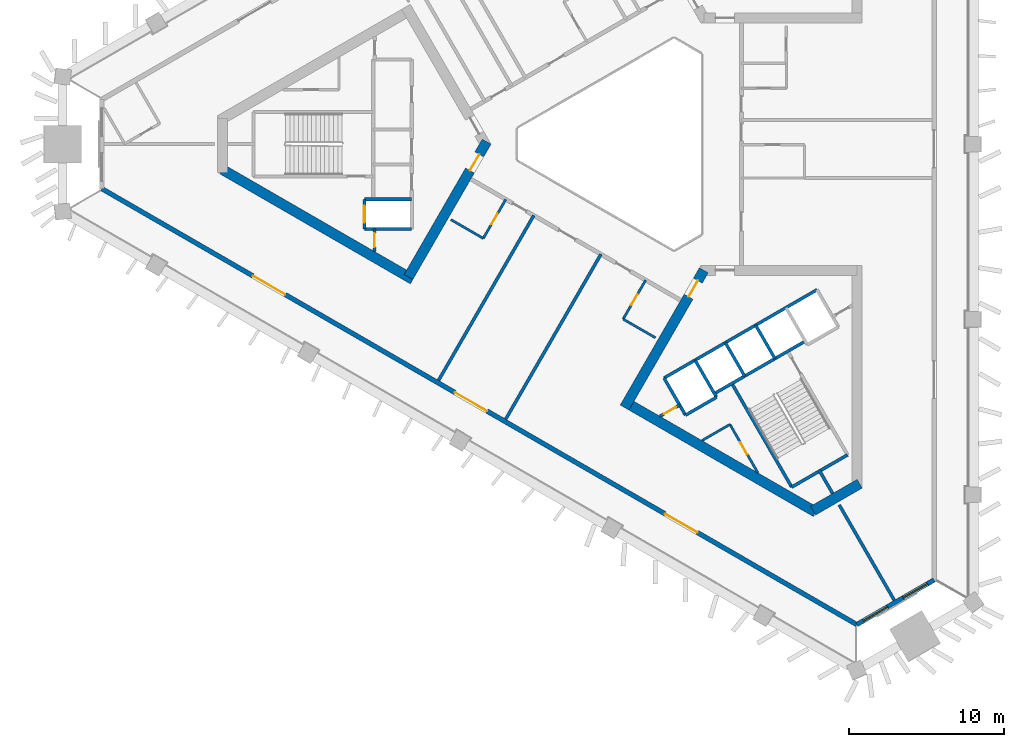
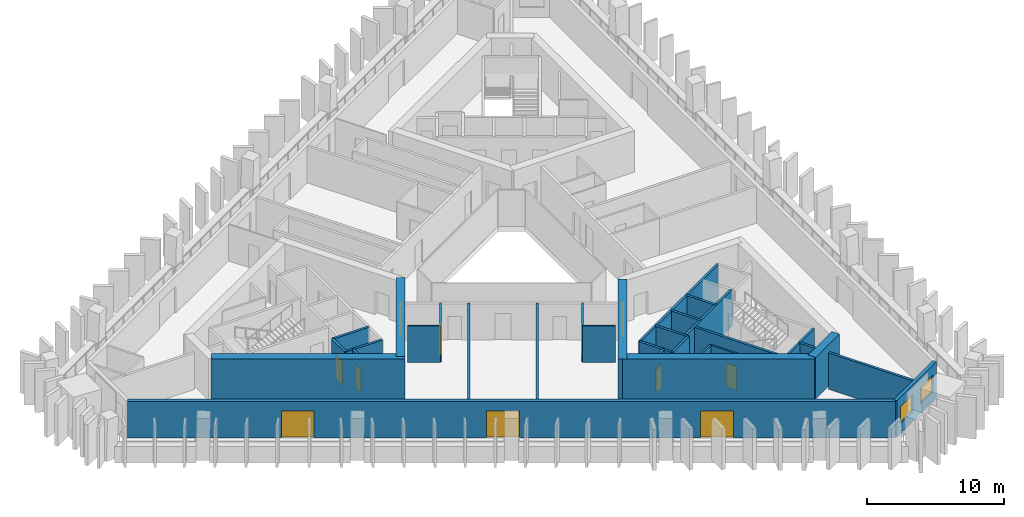
# One storey, part 2 of 9: 31 walls, 11 doors, 2 windows, 13 openings.
"""IFC4 building model written with IfcOpenShell, lengths in metres."""

from ifc_helpers import new_model, si_unit, direction, frame, frame_2d, origin, place, context, subcontext, project, spatial, rectangle, extrude, material, layer, layer_set, type_object, element, fill, save


model = new_model("IFC4")

# Units and contexts
model_context = context("Model", 3, precision=1e-05, world=origin(), true_north=direction((0.0, 1.0)))
body_context = subcontext(model_context, "Body", "Model", "MODEL_VIEW")
ifc_project = project(units=[si_unit("LENGTHUNIT", "METRE"), si_unit("AREAUNIT", "SQUARE_METRE"), si_unit("VOLUMEUNIT", "CUBIC_METRE"), si_unit("PLANEANGLEUNIT", "RADIAN"), si_unit("MASSUNIT", "GRAM", prefix="KILO")], contexts=[model_context])

# Site, building, storey
site_placement = place(None, origin())
site = spatial("IfcSite", under=ifc_project, at=site_placement, CompositionType="ELEMENT")
building_placement = place(site_placement, origin())
building = spatial("IfcBuilding", under=site, at=building_placement, Name="Jabali Bay Hotel Tower and Convention Centre", CompositionType="ELEMENT")
storey_placement = place(building_placement, frame((0.0, 0.0, 129.0)))
storey = spatial("IfcBuildingStorey", under=building, at=storey_placement, Name="L31", CompositionType="ELEMENT", Elevation=129.0)

# Wall, opening, door
ifc_material_1 = material(Name="Concrete C40", Category="concrete")
ifc_layer_1 = layer(ifc_material_1, 0.199951171875)
ifc_layer_set_1 = layer_set([ifc_layer_1], Name="Concrete C40")
wall_type_1 = type_object("IfcWallType", Name="Core partition wall 200", PredefinedType="PARTITIONING", material=ifc_layer_set_1)
wall_1_placement = place(storey_placement, frame((58.5, 74.550048828125, 0.0), z_axis=(0.0, 0.0, 1.0), x_axis=(0.0, -1.0, 0.0)))
wall_1 = element("IfcWall", 1, at=wall_1_placement, inside=storey, type_object=wall_type_1, Name="Core wall 0.11 L31", PredefinedType="PARTITIONING", context=body_context, shape_type="SweptSolid", body=[
    extrude(rectangle(XDim=1.455078125, YDim=0.199951171875, at=frame_2d((0.7275390625, 0.0))), origin(), (0.0, 0.0, 1.0), 3.25),
])
opening_1_placement = place(wall_1_placement, frame((0.277587890625, 0.0, 0.0)))
opening_1 = element("IfcOpeningElement", 2, at=opening_1_placement, cuts=wall_1, Name="Opening D685", PredefinedType="OPENING", context=body_context, shape_type="SweptSolid", body=[
    extrude(rectangle(XDim=0.89990234375, YDim=2.10009765625, at=frame_2d((0.449951171875, 1.050048828125))), frame((0.0, 0.1103515625, 0.0), z_axis=(0.0, -1.0, 0.0), x_axis=(1.0, 0.0, 0.0)), (0.0, 0.0, 1.0), 0.220947265625),
])
ifc_material_2 = material(Name="Fire-rated steel door", Category="steel")
door_type_1 = type_object("IfcDoorType", Name="Vestibule fire door 900 x 2100", OperationType="NOTDEFINED", PredefinedType="NOTDEFINED", material=ifc_material_2)
door_1_placement = place(opening_1_placement, origin())
door_1 = element("IfcDoor", 3, at=door_1_placement, inside=storey, type_object=door_type_1, Name="Vestibule fire door D685", OperationType="SINGLE_SWING_LEFT", OverallHeight=2.10009765625, OverallWidth=0.89990234375, PredefinedType="NOTDEFINED", context=body_context, shape_type="SweptSolid", body=[
    extrude(rectangle(XDim=0.89990234375, YDim=2.10009765625, at=frame_2d((0.449951171875, 1.050048828125))), frame((0.0, 0.02490234375, 0.0), z_axis=(0.0, -1.0, 0.0), x_axis=(1.0, 0.0, 0.0)), (0.0, 0.0, 1.0), 0.050048828125),
])
fill(opening_1, door_1)

# Wall
wall_2_placement = place(storey_placement, frame((87.090087890625, 59.0595703125, 0.0), z_axis=(0.0, 0.0, 1.0), x_axis=(0.499944938281, -0.866057191349, 0.0)))
element("IfcWall", 4, at=wall_2_placement, inside=storey, type_object=wall_type_1, Name="Core wall 2.5 L31", PredefinedType="PARTITIONING", context=body_context, shape_type="SweptSolid", body=[
    extrude(rectangle(XDim=1.773193359375, YDim=0.199951171875, at=frame_2d((0.88671875, 0.0))), origin(), (0.0, 0.0, 1.0), 3.25),
])

# Wall, opening, door
wall_3_placement = place(storey_placement, frame((76.869873046875, 62.489013671875, 0.0), z_axis=(0.0, 0.0, 1.0), x_axis=(0.866054810376, 0.49994906283, 0.0)))
wall_3 = element("IfcWall", 5, at=wall_3_placement, inside=storey, type_object=wall_type_1, Name="Core wall 2.11 L31", PredefinedType="PARTITIONING", context=body_context, shape_type="SweptSolid", body=[
    extrude(rectangle(XDim=1.461181640625, YDim=0.199951171875, at=frame_2d((0.73046875, 0.0))), origin(), (0.0, 0.0, 1.0), 3.25),
])
opening_2_placement = place(wall_3_placement, frame((0.280517578125, 0.0, 0.0)))
opening_2 = element("IfcOpeningElement", 6, at=opening_2_placement, cuts=wall_3, Name="Opening D698", PredefinedType="OPENING", context=body_context, shape_type="SweptSolid", body=[
    extrude(rectangle(XDim=0.89990234375, YDim=2.10009765625, at=frame_2d((0.449951171875, 1.050048828125))), frame((0.0, 0.1103515625, 0.0), z_axis=(0.0, -1.0, 0.0), x_axis=(1.0, 0.0, 0.0)), (0.0, 0.0, 1.0), 0.220947265625),
])
door_2_placement = place(opening_2_placement, origin())
door_2 = element("IfcDoor", 7, at=door_2_placement, inside=storey, type_object=door_type_1, Name="Vestibule fire door D698", OperationType="SINGLE_SWING_LEFT", OverallHeight=2.10009765625, OverallWidth=0.89990234375, PredefinedType="NOTDEFINED", context=body_context, shape_type="SweptSolid", body=[
    extrude(rectangle(XDim=0.89990234375, YDim=2.10009765625, at=frame_2d((0.449951171875, 1.050048828125))), frame((0.0, 0.02490234375, 0.0), z_axis=(0.0, -1.0, 0.0), x_axis=(1.0, 0.0, 0.0)), (0.0, 0.0, 1.0), 0.050048828125),
])
fill(opening_2, door_2)

ifc_material_3 = material(Name="Fire-rated board partition")
ifc_layer_2 = layer(ifc_material_3, 0.14990234375)
ifc_layer_set_2 = layer_set([ifc_layer_2], Name="Fire-rated board partition")
wall_type_2 = type_object("IfcWallType", Name="Core room partition 150", PredefinedType="PARTITIONING", material=ifc_layer_set_2)
wall_4_placement = place(storey_placement, frame((81.368896484375, 61.96875, 0.0), z_axis=(0.0, 0.0, 1.0), x_axis=(0.499992664208, -0.866029639064, 0.0)))
wall_4 = element("IfcWall", 8, at=wall_4_placement, inside=storey, type_object=wall_type_2, Name="Core wall 2.1 L31", PredefinedType="PARTITIONING", context=body_context, shape_type="SweptSolid", body=[
    extrude(rectangle(XDim=3.59765625, YDim=0.14990234375, at=frame_2d((1.798828125, 0.0))), origin(), (0.0, 0.0, 1.0), 3.25),
])
opening_3_placement = place(wall_4_placement, frame((1.321533203125, 0.0, 0.0)))
opening_3 = element("IfcOpeningElement", 9, at=opening_3_placement, cuts=wall_4, Name="Opening D700", PredefinedType="OPENING", context=body_context, shape_type="SweptSolid", body=[
    extrude(rectangle(XDim=0.89990234375, YDim=2.10009765625, at=frame_2d((0.449951171875, 1.050048828125))), frame((0.0, 0.08544921875, 0.0), z_axis=(0.0, -1.0, 0.0), x_axis=(1.0, 0.0, 0.0)), (0.0, 0.0, 1.0), 0.1708984375),
])
door_type_2 = type_object("IfcDoorType", Name="Core room door 900 x 2100", OperationType="NOTDEFINED", PredefinedType="NOTDEFINED", material=ifc_material_2)
door_3_placement = place(opening_3_placement, origin())
door_3 = element("IfcDoor", 10, at=door_3_placement, inside=storey, type_object=door_type_2, Name="Core room door D700", OperationType="SINGLE_SWING_LEFT", OverallHeight=2.10009765625, OverallWidth=0.89990234375, PredefinedType="NOTDEFINED", context=body_context, shape_type="SweptSolid", body=[
    extrude(rectangle(XDim=0.89990234375, YDim=2.10009765625, at=frame_2d((0.449951171875, 1.050048828125))), frame((0.0, 0.02490234375, 0.0), z_axis=(0.0, -1.0, 0.0), x_axis=(1.0, 0.0, 0.0)), (0.0, 0.0, 1.0), 0.050048828125),
])
fill(opening_3, door_3)

# Walls
wall_5_placement = place(storey_placement, frame((79.570068359375, 60.93017578125, 0.0), z_axis=(0.0, 0.0, 1.0), x_axis=(0.866021168401, 0.500007335828, 0.0)))
element("IfcWall", 11, at=wall_5_placement, inside=storey, type_object=wall_type_2, Name="Core wall 2.16 L31", PredefinedType="PARTITIONING", context=body_context, shape_type="SweptSolid", body=[
    extrude(rectangle(XDim=2.0771484375, YDim=0.14990234375, at=frame_2d((1.03857421875, 0.0))), origin(), (0.0, 0.0, 1.0), 3.25),
])
ifc_layer_3 = layer(ifc_material_1, 0.199951171875)
ifc_layer_set_3 = layer_set([ifc_layer_3], Name="Concrete C40")
wall_type_3 = type_object("IfcWallType", Name="Core stair wall 200", PredefinedType="SOLIDWALL", material=ifc_layer_set_3)
for number, where, z_axis, x_axis, name in (
    (12, (60.89990234375, 76.449951171875, 0.0), (0.0, 0.0, 1.0), (-1.0, 0.0, 0.0), "Core wall 0.7 L31"),
    (13, (60.89990234375, 74.550048828125, 0.0), (0.0, 0.0, 1.0), (-1.0, 0.0, 0.0), "Core wall 0.8 L31"),
):
    element("IfcWall", number, at=place(storey_placement, frame(where, z_axis=z_axis, x_axis=x_axis)), inside=storey, type_object=wall_type_3, Name=name, PredefinedType="SOLIDWALL", context=body_context, shape_type="SweptSolid", body=[
        extrude(rectangle(XDim=3.0498046875, YDim=0.199951171875, at=frame_2d((1.52490234375, 0.0))), origin(), (0.0, 0.0, 1.0), 3.25),
    ])

# Wall, opening, door
wall_6_placement = place(storey_placement, frame((57.85009765625, 76.449951171875, 0.0), z_axis=(0.0, 0.0, 1.0), x_axis=(0.0, -1.0, 0.0)))
wall_6 = element("IfcWall", 14, at=wall_6_placement, inside=storey, type_object=wall_type_3, Name="Core wall 0.13 L31", PredefinedType="SOLIDWALL", context=body_context, shape_type="SweptSolid", body=[
    extrude(rectangle(XDim=1.89990234375, YDim=0.199951171875, at=frame_2d((0.949951171875, 0.0))), origin(), (0.0, 0.0, 1.0), 3.25),
])
opening_4_placement = place(wall_6_placement, frame((0.39990234375, 0.0, 0.0)))
opening_4 = element("IfcOpeningElement", 15, at=opening_4_placement, cuts=wall_6, Name="Opening LD5-L31", PredefinedType="OPENING", context=body_context, shape_type="SweptSolid", body=[
    extrude(rectangle(XDim=1.10009765625, YDim=2.10009765625, at=frame_2d((0.550048828125, 1.050048828125))), frame((0.0, 0.1103515625, 0.0), z_axis=(0.0, -1.0, 0.0), x_axis=(1.0, 0.0, 0.0)), (0.0, 0.0, 1.0), 0.220947265625),
])
ifc_material_4 = material(Name="Stainless steel landing door", Category="steel")
door_type_3 = type_object("IfcDoorType", Name="Landing door 1100 x 2100", OperationType="NOTDEFINED", PredefinedType="NOTDEFINED", material=ifc_material_4)
door_4_placement = place(opening_4_placement, origin())
door_4 = element("IfcDoor", 16, at=door_4_placement, inside=storey, type_object=door_type_3, Name="Landing doors LD5-L31", OperationType="SLIDING_TO_RIGHT", OverallHeight=2.10009765625, OverallWidth=1.10009765625, PredefinedType="NOTDEFINED", context=body_context, shape_type="SweptSolid", body=[
    extrude(rectangle(XDim=1.10009765625, YDim=2.10009765625, at=frame_2d((0.550048828125, 1.050048828125))), frame((0.0, 0.02490234375, 0.0), z_axis=(0.0, -1.0, 0.0), x_axis=(1.0, 0.0, 0.0)), (0.0, 0.0, 1.0), 0.050048828125),
])
fill(opening_4, door_4)

# Walls
for number, where, z_axis, x_axis, name in (
    (17, (77.13525390625, 64.95166015625, 0.0), (0.0, 0.0, 1.0), (0.499996545922, -0.866027397988, 0.0), "Core wall 2.0 L31"),
    (18, (79.127197265625, 66.1015625, 0.0), (0.0, 0.0, 1.0), (0.499996545922, -0.866027397988, 0.0), "Core wall 2.2 L31"),
):
    element("IfcWall", number, at=place(storey_placement, frame(where, z_axis=z_axis, x_axis=x_axis)), inside=storey, type_object=wall_type_3, Name=name, PredefinedType="SOLIDWALL", context=body_context, shape_type="SweptSolid", body=[
        extrude(rectangle(XDim=2.75, YDim=0.199951171875, at=frame_2d((1.375, 0.0))), origin(), (0.0, 0.0, 1.0), 3.25),
    ])
wall_7_placement = place(storey_placement, frame((81.492919921875, 64.603759765625, 0.0), z_axis=(0.0, 0.0, 1.0), x_axis=(0.500006057782, -0.866021906294, 0.0)))
element("IfcWall", 19, at=wall_7_placement, inside=storey, type_object=wall_type_3, Name="Core wall 2.3 L31", PredefinedType="SOLIDWALL", context=body_context, shape_type="SweptSolid", body=[
    extrude(rectangle(XDim=7.7001953125, YDim=0.199951171875, at=frame_2d((3.85009765625, 0.0))), origin(), (0.0, 0.0, 1.0), 3.25),
])
for number, where, z_axis, x_axis, name in (
    (20, (81.07568359375, 67.2265625, 0.0), (0.0, 0.0, 1.0), (0.50000366821, -0.866023285932, 0.0), "Core wall 2.4 L31"),
    (21, (83.024169921875, 68.3515625, 0.0), (0.0, 0.0, 1.0), (0.50000366821, -0.866023285932, 0.0), "Core wall 2.6 L31"),
):
    element("IfcWall", number, at=place(storey_placement, frame(where, z_axis=z_axis, x_axis=x_axis)), inside=storey, type_object=wall_type_3, Name=name, PredefinedType="SOLIDWALL", context=body_context, shape_type="SweptSolid", body=[
        extrude(rectangle(XDim=2.47998046875, YDim=0.199951171875, at=frame_2d((1.239990234375, 0.0))), origin(), (0.0, 0.0, 1.0), 3.25),
    ])
wall_8_placement = place(storey_placement, frame((77.13525390625, 64.95166015625, 0.0), z_axis=(0.0, 0.0, 1.0), x_axis=(0.866031916153, 0.499988720078, 0.0)))
element("IfcWall", 22, at=wall_8_placement, inside=storey, type_object=wall_type_3, Name="Core wall 2.10 L31", PredefinedType="SOLIDWALL", context=body_context, shape_type="SweptSolid", body=[
    extrude(rectangle(XDim=11.349853515625, YDim=0.199951171875, at=frame_2d((5.6748046875, 0.0))), origin(), (0.0, 0.0, 1.0), 3.25),
])
wall_9_placement = place(storey_placement, frame((80.3671875, 63.953857421875, 0.0), z_axis=(0.0, 0.0, 1.0), x_axis=(0.866026575979, 0.499997969693, 0.0)))
element("IfcWall", 23, at=wall_9_placement, inside=storey, type_object=wall_type_3, Name="Core wall 2.13 L31", PredefinedType="SOLIDWALL", context=body_context, shape_type="SweptSolid", body=[
    extrude(rectangle(XDim=6.75, YDim=0.199951171875, at=frame_2d((3.375, 0.0))), origin(), (0.0, 0.0, 1.0), 3.25),
])
wall_10_placement = place(storey_placement, frame((78.51025390625, 62.570068359375, 0.0), z_axis=(0.0, 0.0, 1.0), x_axis=(0.866053019151, 0.499952165731, 0.0)))
element("IfcWall", 24, at=wall_10_placement, inside=storey, type_object=wall_type_3, Name="Core wall 2.14 L31", PredefinedType="SOLIDWALL", context=body_context, shape_type="SweptSolid", body=[
    extrude(rectangle(XDim=2.300048828125, YDim=0.199951171875, at=frame_2d((1.14990234375, 0.0))), origin(), (0.0, 0.0, 1.0), 3.25),
])
wall_11_placement = place(storey_placement, frame((85.343017578125, 57.935302734375, 0.0), z_axis=(0.0, 0.0, 1.0), x_axis=(0.866004344652, 0.500036473714, 0.0)))
element("IfcWall", 25, at=wall_11_placement, inside=storey, type_object=wall_type_3, Name="Core wall 2.17 L31", PredefinedType="SOLIDWALL", context=body_context, shape_type="SweptSolid", body=[
    extrude(rectangle(XDim=4.150146484375, YDim=0.199951171875, at=frame_2d((2.0751953125, 0.0))), origin(), (0.0, 0.0, 1.0), 3.25),
])
ifc_material_5 = material(Name="Concrete C60", Category="concrete")
ifc_layer_4 = layer(ifc_material_5, 0.64990234375)
ifc_layer_set_4 = layer_set([ifc_layer_4], Name="Concrete C60")
wall_type_4 = type_object("IfcWallType", Name="Core wall 650", PredefinedType="SHEAR", material=ifc_layer_set_4)
wall_12_placement = place(storey_placement, frame((48.721923828125, 78.364990234375, 0.0), z_axis=(0.0, 0.0, 1.0), x_axis=(0.866020036431, -0.500009296414, 0.0)))
element("IfcWall", 26, at=wall_12_placement, inside=storey, type_object=wall_type_4, Name="Core wall 1.4 L31", PredefinedType="SHEAR", context=body_context, shape_type="SweptSolid", body=[
    extrude(rectangle(XDim=14.145751953125, YDim=0.64990234375, at=frame_2d((7.07275390625, 0.0))), origin(), (0.0, 0.0, 1.0), 3.699951171875),
])

# Wall, opening, door
wall_13_placement = place(storey_placement, frame((60.691162109375, 71.45458984375, 0.0), z_axis=(0.0, 0.0, 1.0), x_axis=(0.499983075189, 0.866035175108, 0.0)))
wall_13 = element("IfcWall", 27, at=wall_13_placement, inside=storey, type_object=wall_type_4, Name="Core wall 1.5 L31", PredefinedType="SHEAR", context=body_context, shape_type="SweptSolid", body=[
    extrude(rectangle(XDim=10.054931640625, YDim=0.64990234375, at=frame_2d((5.02734375, 0.0))), origin(), (0.0, 0.0, 1.0), 3.699951171875),
])
opening_5_placement = place(wall_13_placement, frame((7.905029296875, 0.0, 0.0)))
opening_5 = element("IfcOpeningElement", 28, at=opening_5_placement, cuts=wall_13, Name="Opening D681", PredefinedType="OPENING", context=body_context, shape_type="SweptSolid", body=[
    extrude(rectangle(XDim=1.199951171875, YDim=2.10009765625, at=frame_2d((0.60009765625, 1.050048828125))), frame((0.0, 0.33544921875, 0.0), z_axis=(0.0, -1.0, 0.0), x_axis=(1.0, 0.0, 0.0)), (0.0, 0.0, 1.0), 0.6708984375),
])
door_type_4 = type_object("IfcDoorType", Name="Corridor end fire door 1200 x 2100", OperationType="NOTDEFINED", PredefinedType="NOTDEFINED", material=ifc_material_2)
door_5_placement = place(opening_5_placement, origin())
door_5 = element("IfcDoor", 29, at=door_5_placement, inside=storey, type_object=door_type_4, Name="Corridor end fire door D681", OperationType="SINGLE_SWING_LEFT", OverallHeight=2.10009765625, OverallWidth=1.199951171875, PredefinedType="NOTDEFINED", context=body_context, shape_type="SweptSolid", body=[
    extrude(rectangle(XDim=1.199951171875, YDim=2.10009765625, at=frame_2d((0.60009765625, 1.050048828125))), frame((0.0, 0.02490234375, 0.0), z_axis=(0.0, -1.0, 0.0), x_axis=(1.0, 0.0, 0.0)), (0.0, 0.0, 1.0), 0.050048828125),
])
fill(opening_5, door_5)

wall_14_placement = place(storey_placement, frame((79.687744140625, 71.880859375, 0.0), z_axis=(0.0, 0.0, 1.0), x_axis=(-0.49999822179, -0.866026430432, 0.0)))
wall_14 = element("IfcWall", 30, at=wall_14_placement, inside=storey, type_object=wall_type_4, Name="Core wall 3.1 L31", PredefinedType="SHEAR", context=body_context, shape_type="SweptSolid", body=[
    extrude(rectangle(XDim=10.1923828125, YDim=0.64990234375, at=frame_2d((5.09619140625, 0.0))), origin(), (0.0, 0.0, 1.0), 3.699951171875),
])
opening_6_placement = place(wall_14_placement, frame((0.762451171875, 0.0, 0.0)))
opening_6 = element("IfcOpeningElement", 31, at=opening_6_placement, cuts=wall_14, Name="Opening D695", PredefinedType="OPENING", context=body_context, shape_type="SweptSolid", body=[
    extrude(rectangle(XDim=1.199951171875, YDim=2.10009765625, at=frame_2d((0.60009765625, 1.050048828125))), frame((0.0, 0.33544921875, 0.0), z_axis=(0.0, -1.0, 0.0), x_axis=(1.0, 0.0, 0.0)), (0.0, 0.0, 1.0), 0.6708984375),
])
door_6_placement = place(opening_6_placement, origin())
door_6 = element("IfcDoor", 32, at=door_6_placement, inside=storey, type_object=door_type_4, Name="Corridor end fire door D695", OperationType="SINGLE_SWING_RIGHT", OverallHeight=2.10009765625, OverallWidth=1.199951171875, PredefinedType="NOTDEFINED", context=body_context, shape_type="SweptSolid", body=[
    extrude(rectangle(XDim=1.199951171875, YDim=2.10009765625, at=frame_2d((0.60009765625, 1.050048828125))), frame((0.0, 0.02490234375, 0.0), z_axis=(0.0, -1.0, 0.0), x_axis=(1.0, 0.0, 0.0)), (0.0, 0.0, 1.0), 0.050048828125),
])
fill(opening_6, door_6)

# Walls
wall_15_placement = place(storey_placement, frame((74.75390625, 63.33544921875, 0.0), z_axis=(0.0, 0.0, 1.0), x_axis=(0.866026250715, -0.49999853307, 0.0)))
element("IfcWall", 33, at=wall_15_placement, inside=storey, type_object=wall_type_4, Name="Core wall 3.2 L31", PredefinedType="SHEAR", context=body_context, shape_type="SweptSolid", body=[
    extrude(rectangle(XDim=14.00830078125, YDim=0.64990234375, at=frame_2d((7.004150390625, 0.0))), origin(), (0.0, 0.0, 1.0), 3.699951171875),
])
wall_16_placement = place(storey_placement, frame((86.72314453125, 56.425048828125, 0.0), z_axis=(0.0, 0.0, 1.0), x_axis=(0.866031550877, 0.499989352773, 0.0)))
element("IfcWall", 34, at=wall_16_placement, inside=storey, type_object=wall_type_4, Name="Core wall 3.3 L31", PredefinedType="SHEAR", context=body_context, shape_type="SweptSolid", body=[
    extrude(rectangle(XDim=3.45751953125, YDim=0.64990234375, at=frame_2d((1.728759765625, 0.0))), origin(), (0.0, 0.0, 1.0), 3.699951171875),
])

# Wall, openings, windows
ifc_layer_5 = layer(ifc_material_1, 0.300048828125)
ifc_layer_set_5 = layer_set([ifc_layer_5], Name="Concrete C40")
wall_type_5 = type_object("IfcWallType", Name="External wall 300", PredefinedType="SOLIDWALL", material=ifc_layer_set_5)
wall_17_placement = place(storey_placement, frame((94.501220703125, 51.960693359375, 0.0), z_axis=(0.0, 0.0, 1.0), x_axis=(-0.866021903596, -0.500006062455, 0.0)))
wall_17 = element("IfcWall", 35, at=wall_17_placement, inside=storey, type_object=wall_type_5, Name="External wall south-east chamfer L31", PredefinedType="SOLIDWALL", context=body_context, shape_type="SweptSolid", body=[
    extrude(rectangle(XDim=5.73779296875, YDim=0.300048828125, at=frame_2d((2.868896484375, 0.0))), origin(), (0.0, 0.0, 1.0), 3.25),
])
opening_7_placement = place(wall_17_placement, frame((0.49169921875, 0.0, 0.89990234375)))
opening_7 = element("IfcOpeningElement", 36, at=opening_7_placement, cuts=wall_17, Name="Opening W1", PredefinedType="OPENING", context=body_context, shape_type="SweptSolid", body=[
    extrude(rectangle(XDim=1.800048828125, YDim=1.5, at=frame_2d((0.89990234375, 0.75))), frame((0.0, 0.16064453125, 0.0), z_axis=(0.0, -1.0, 0.0), x_axis=(1.0, 0.0, 0.0)), (0.0, 0.0, 1.0), 0.321044921875),
])
opening_8_placement = place(wall_17_placement, frame((3.4462890625, 0.0, 0.89990234375)))
opening_8 = element("IfcOpeningElement", 37, at=opening_8_placement, cuts=wall_17, Name="Opening W1", PredefinedType="OPENING", context=body_context, shape_type="SweptSolid", body=[
    extrude(rectangle(XDim=1.800048828125, YDim=1.5, at=frame_2d((0.89990234375, 0.75))), frame((0.0, 0.16064453125, 0.0), z_axis=(0.0, -1.0, 0.0), x_axis=(1.0, 0.0, 0.0)), (0.0, 0.0, 1.0), 0.321044921875),
])
ifc_material_6 = material(Name="Glass", Category="glass")
window_type = type_object("IfcWindowType", Name="Window 1800 x 1500", PartitioningType="SINGLE_PANEL", PredefinedType="WINDOW", material=ifc_material_6)
window_1_placement = place(opening_7_placement, origin())
window_1 = element("IfcWindow", 38, at=window_1_placement, inside=storey, type_object=window_type, Name="Window 3101", OverallHeight=1.5, OverallWidth=1.800048828125, PartitioningType="SINGLE_PANEL", PredefinedType="WINDOW", context=body_context, shape_type="SweptSolid", body=[
    extrude(rectangle(XDim=1.800048828125, YDim=1.5, at=frame_2d((0.89990234375, 0.75))), frame((0.0, 0.030029296875, 0.0), z_axis=(0.0, -1.0, 0.0), x_axis=(1.0, 0.0, 0.0)), (0.0, 0.0, 1.0), 0.06005859375),
])
fill(opening_7, window_1)
window_2_placement = place(opening_8_placement, origin())
window_2 = element("IfcWindow", 39, at=window_2_placement, inside=storey, type_object=window_type, Name="Window 3110", OverallHeight=1.5, OverallWidth=1.800048828125, PartitioningType="SINGLE_PANEL", PredefinedType="WINDOW", context=body_context, shape_type="SweptSolid", body=[
    extrude(rectangle(XDim=1.800048828125, YDim=1.5, at=frame_2d((0.89990234375, 0.75))), frame((0.0, 0.030029296875, 0.0), z_axis=(0.0, -1.0, 0.0), x_axis=(1.0, 0.0, 0.0)), (0.0, 0.0, 1.0), 0.06005859375),
])
fill(opening_8, window_2)

# Wall, openings, doors
wall_18_placement = place(storey_placement, frame((89.5322265625, 49.091796875, 0.0), z_axis=(0.0, 0.0, 1.0), x_axis=(-0.86602616217, 0.499998686435, 0.0)))
wall_18 = element("IfcWall", 40, at=wall_18_placement, inside=storey, type_object=wall_type_5, Name="External wall south-west face L31", PredefinedType="SOLIDWALL", context=body_context, shape_type="SweptSolid", body=[
    extrude(rectangle(XDim=56.078857421875, YDim=0.300048828125, at=frame_2d((28.03955078125, 0.0))), origin(), (0.0, 0.0, 1.0), 3.25),
])
opening_9_placement = place(wall_18_placement, frame((42.461181640625, 0.0, 0.0)))
opening_9 = element("IfcOpeningElement", 41, at=opening_9_placement, cuts=wall_18, Name="Opening SD1", PredefinedType="OPENING", context=body_context, shape_type="SweptSolid", body=[
    extrude(rectangle(XDim=2.39990234375, YDim=2.39990234375, at=frame_2d((1.199951171875, 1.199951171875))), frame((0.0, 0.16064453125, 0.0), z_axis=(0.0, -1.0, 0.0), x_axis=(1.0, 0.0, 0.0)), (0.0, 0.0, 1.0), 0.321044921875),
])
opening_10_placement = place(wall_18_placement, frame((11.841064453125, 0.0, 0.0)))
opening_10 = element("IfcOpeningElement", 42, at=opening_10_placement, cuts=wall_18, Name="Opening SD1", PredefinedType="OPENING", context=body_context, shape_type="SweptSolid", body=[
    extrude(rectangle(XDim=2.39990234375, YDim=2.39990234375, at=frame_2d((1.199951171875, 1.199951171875))), frame((0.0, 0.16064453125, 0.0), z_axis=(0.0, -1.0, 0.0), x_axis=(1.0, 0.0, 0.0)), (0.0, 0.0, 1.0), 0.321044921875),
])
opening_11_placement = place(wall_18_placement, frame((27.462890625, 0.0, 0.0)))
opening_11 = element("IfcOpeningElement", 43, at=opening_11_placement, cuts=wall_18, Name="Opening SD1", PredefinedType="OPENING", context=body_context, shape_type="SweptSolid", body=[
    extrude(rectangle(XDim=2.39990234375, YDim=2.39990234375, at=frame_2d((1.199951171875, 1.199951171875))), frame((0.0, 0.16064453125, 0.0), z_axis=(0.0, -1.0, 0.0), x_axis=(1.0, 0.0, 0.0)), (0.0, 0.0, 1.0), 0.321044921875),
])
door_type_5 = type_object("IfcDoorType", Name="Loggia sliding door 2400 x 2400", OperationType="NOTDEFINED", PredefinedType="NOTDEFINED", material=ifc_material_6)
door_7_placement = place(opening_9_placement, origin())
door_7 = element("IfcDoor", 44, at=door_7_placement, inside=storey, type_object=door_type_5, Name="Loggia sliding door 3109", OperationType="SLIDING_TO_LEFT", OverallHeight=2.39990234375, OverallWidth=2.39990234375, PredefinedType="NOTDEFINED", context=body_context, shape_type="SweptSolid", body=[
    extrude(rectangle(XDim=2.39990234375, YDim=2.39990234375, at=frame_2d((1.199951171875, 1.199951171875))), frame((0.0, 0.02490234375, 0.0), z_axis=(0.0, -1.0, 0.0), x_axis=(1.0, 0.0, 0.0)), (0.0, 0.0, 1.0), 0.050048828125),
])
fill(opening_9, door_7)
door_8_placement = place(opening_10_placement, origin())
door_8 = element("IfcDoor", 45, at=door_8_placement, inside=storey, type_object=door_type_5, Name="Loggia sliding door 3110", OperationType="SLIDING_TO_RIGHT", OverallHeight=2.39990234375, OverallWidth=2.39990234375, PredefinedType="NOTDEFINED", context=body_context, shape_type="SweptSolid", body=[
    extrude(rectangle(XDim=2.39990234375, YDim=2.39990234375, at=frame_2d((1.199951171875, 1.199951171875))), frame((0.0, 0.02490234375, 0.0), z_axis=(0.0, -1.0, 0.0), x_axis=(1.0, 0.0, 0.0)), (0.0, 0.0, 1.0), 0.050048828125),
])
fill(opening_10, door_8)
door_9_placement = place(opening_11_placement, origin())
door_9 = element("IfcDoor", 46, at=door_9_placement, inside=storey, type_object=door_type_5, Name="Loggia sliding door", OperationType="SLIDING_TO_LEFT", OverallHeight=2.39990234375, OverallWidth=2.39990234375, PredefinedType="NOTDEFINED", context=body_context, shape_type="SweptSolid", body=[
    extrude(rectangle(XDim=2.39990234375, YDim=2.39990234375, at=frame_2d((1.199951171875, 1.199951171875))), frame((0.0, 0.02490234375, 0.0), z_axis=(0.0, -1.0, 0.0), x_axis=(1.0, 0.0, 0.0)), (0.0, 0.0, 1.0), 0.050048828125),
])
fill(opening_11, door_9)

# Wall, opening, door
ifc_material_7 = material(Name="Plasterboard on steel stud", Category="steel")
ifc_layer_6 = layer(ifc_material_7, 0.14990234375)
ifc_layer_set_6 = layer_set([ifc_layer_6], Name="Plasterboard on steel stud")
wall_type_6 = type_object("IfcWallType", Name="Partition 150 wet", PredefinedType="PARTITIONING", material=ifc_layer_set_6)
wall_19_placement = place(storey_placement, frame((66.95166015625, 76.4482421875, 0.0), z_axis=(0.0, 0.0, 1.0), x_axis=(-0.499987231761, -0.866032775405, 0.0)))
wall_19 = element("IfcWall", 47, at=wall_19_placement, inside=storey, type_object=wall_type_6, Name="Partition P03 L31 031", PredefinedType="PARTITIONING", context=body_context, shape_type="SweptSolid", body=[
    extrude(rectangle(XDim=2.89990234375, YDim=0.14990234375, at=frame_2d((1.449951171875, 0.0))), origin(), (0.0, 0.0, 1.0), 3.25),
])
opening_12_placement = place(wall_19_placement, frame((1.050048828125, 0.0, 0.0)))
opening_12 = element("IfcOpeningElement", 48, at=opening_12_placement, cuts=wall_19, Name="Opening 3117", PredefinedType="OPENING", context=body_context, shape_type="SweptSolid", body=[
    extrude(rectangle(XDim=0.800048828125, YDim=2.10009765625, at=frame_2d((0.39990234375, 1.050048828125))), frame((0.0, 0.08544921875, 0.0), z_axis=(0.0, -1.0, 0.0), x_axis=(1.0, 0.0, 0.0)), (0.0, 0.0, 1.0), 0.1708984375),
])
ifc_material_8 = material(Name="Timber", Category="wood")
door_type_6 = type_object("IfcDoorType", Name="En-suite door 800 x 2100", OperationType="NOTDEFINED", PredefinedType="NOTDEFINED", material=ifc_material_8)
door_10_placement = place(opening_12_placement, origin())
door_10 = element("IfcDoor", 49, at=door_10_placement, inside=storey, type_object=door_type_6, Name="Door 3117", OperationType="SINGLE_SWING_RIGHT", OverallHeight=2.10009765625, OverallWidth=0.800048828125, PredefinedType="NOTDEFINED", context=body_context, shape_type="SweptSolid", body=[
    extrude(rectangle(XDim=0.800048828125, YDim=2.10009765625, at=frame_2d((0.39990234375, 1.050048828125))), frame((0.0, 0.02490234375, 0.0), z_axis=(0.0, -1.0, 0.0), x_axis=(1.0, 0.0, 0.0)), (0.0, 0.0, 1.0), 0.050048828125),
])
fill(opening_12, door_10)

# Walls
wall_20_placement = place(storey_placement, frame((65.501708984375, 73.936767578125, 0.0), z_axis=(0.0, 0.0, 1.0), x_axis=(-0.865994240961, 0.500053971709, 0.0)))
element("IfcWall", 50, at=wall_20_placement, inside=storey, type_object=wall_type_6, Name="Partition P03 L31 032", PredefinedType="PARTITIONING", context=body_context, shape_type="SweptSolid", body=[
    extrude(rectangle(XDim=2.401123046875, YDim=0.14990234375, at=frame_2d((1.20068359375, 0.0))), origin(), (0.0, 0.0, 1.0), 3.25),
])
wall_21_placement = place(storey_placement, frame((76.57763671875, 67.542236328125, 0.0), z_axis=(0.0, 0.0, 1.0), x_axis=(-0.866038271014, 0.499977712642, 0.0)))
element("IfcWall", 51, at=wall_21_placement, inside=storey, type_object=wall_type_6, Name="Partition P03 L31 035", PredefinedType="PARTITIONING", context=body_context, shape_type="SweptSolid", body=[
    extrude(rectangle(XDim=2.40087890625, YDim=0.14990234375, at=frame_2d((1.200439453125, 0.0))), origin(), (0.0, 0.0, 1.0), 3.25),
])

# Wall, opening, door
wall_22_placement = place(storey_placement, frame((74.498291015625, 68.74267578125, 0.0), z_axis=(0.0, 0.0, 1.0), x_axis=(0.499987231761, 0.866032775405, 0.0)))
wall_22 = element("IfcWall", 52, at=wall_22_placement, inside=storey, type_object=wall_type_6, Name="Partition P03 L31 036", PredefinedType="PARTITIONING", context=body_context, shape_type="SweptSolid", body=[
    extrude(rectangle(XDim=2.89990234375, YDim=0.14990234375, at=frame_2d((1.449951171875, 0.0))), origin(), (0.0, 0.0, 1.0), 3.25),
])
opening_13_placement = place(wall_22_placement, frame((1.050048828125, 0.0, 0.0)))
opening_13 = element("IfcOpeningElement", 53, at=opening_13_placement, cuts=wall_22, Name="Opening 3120", PredefinedType="OPENING", context=body_context, shape_type="SweptSolid", body=[
    extrude(rectangle(XDim=0.800048828125, YDim=2.10009765625, at=frame_2d((0.39990234375, 1.050048828125))), frame((0.0, 0.08544921875, 0.0), z_axis=(0.0, -1.0, 0.0), x_axis=(1.0, 0.0, 0.0)), (0.0, 0.0, 1.0), 0.1708984375),
])
door_11_placement = place(opening_13_placement, origin())
door_11 = element("IfcDoor", 54, at=door_11_placement, inside=storey, type_object=door_type_6, Name="Door 3120", OperationType="SINGLE_SWING_RIGHT", OverallHeight=2.10009765625, OverallWidth=0.800048828125, PredefinedType="NOTDEFINED", context=body_context, shape_type="SweptSolid", body=[
    extrude(rectangle(XDim=0.800048828125, YDim=2.10009765625, at=frame_2d((0.39990234375, 1.050048828125))), frame((0.0, 0.02490234375, 0.0), z_axis=(0.0, -1.0, 0.0), x_axis=(1.0, 0.0, 0.0)), (0.0, 0.0, 1.0), 0.050048828125),
])
fill(opening_13, door_11)

# Walls
ifc_layer_7 = layer(ifc_material_7, 0.199951171875)
ifc_layer_set_7 = layer_set([ifc_layer_7], Name="Plasterboard on steel stud")
wall_type_7 = type_object("IfcWallType", Name="Partition 200 party", PredefinedType="PARTITIONING", material=ifc_layer_set_7)
wall_23_placement = place(storey_placement, frame((88.40185546875, 56.789306640625, 0.0), z_axis=(0.0, 0.0, 1.0), x_axis=(0.500005925269, -0.866021982802, 0.0)))
element("IfcWall", 55, at=wall_23_placement, inside=storey, type_object=wall_type_7, Name="Partition P01 L31 003", PredefinedType="PARTITIONING", context=body_context, shape_type="SweptSolid", body=[
    extrude(rectangle(XDim=7.08251953125, YDim=0.199951171875, at=frame_2d((3.541259765625, 0.0))), origin(), (0.0, 0.0, 1.0), 3.25),
])
for number, where, z_axis, x_axis, name in (
    (56, (62.623779296875, 64.79931640625, 0.0), (0.0, 0.0, 1.0), (0.500003027759, 0.8660236557, 0.0), "Partition P01 L31 033"),
    (57, (66.94384765625, 62.30517578125, 0.0), (0.0, 0.0, 1.0), (0.500003027759, 0.8660236557, 0.0), "Partition P01 L31 034"),
):
    element("IfcWall", number, at=place(storey_placement, frame(where, z_axis=z_axis, x_axis=x_axis)), inside=storey, type_object=wall_type_7, Name=name, PredefinedType="PARTITIONING", context=body_context, shape_type="SweptSolid", body=[
        extrude(rectangle(XDim=12.25244140625, YDim=0.199951171875, at=frame_2d((6.126220703125, 0.0))), origin(), (0.0, 0.0, 1.0), 3.25),
    ])

save(model, "model.ifc")
